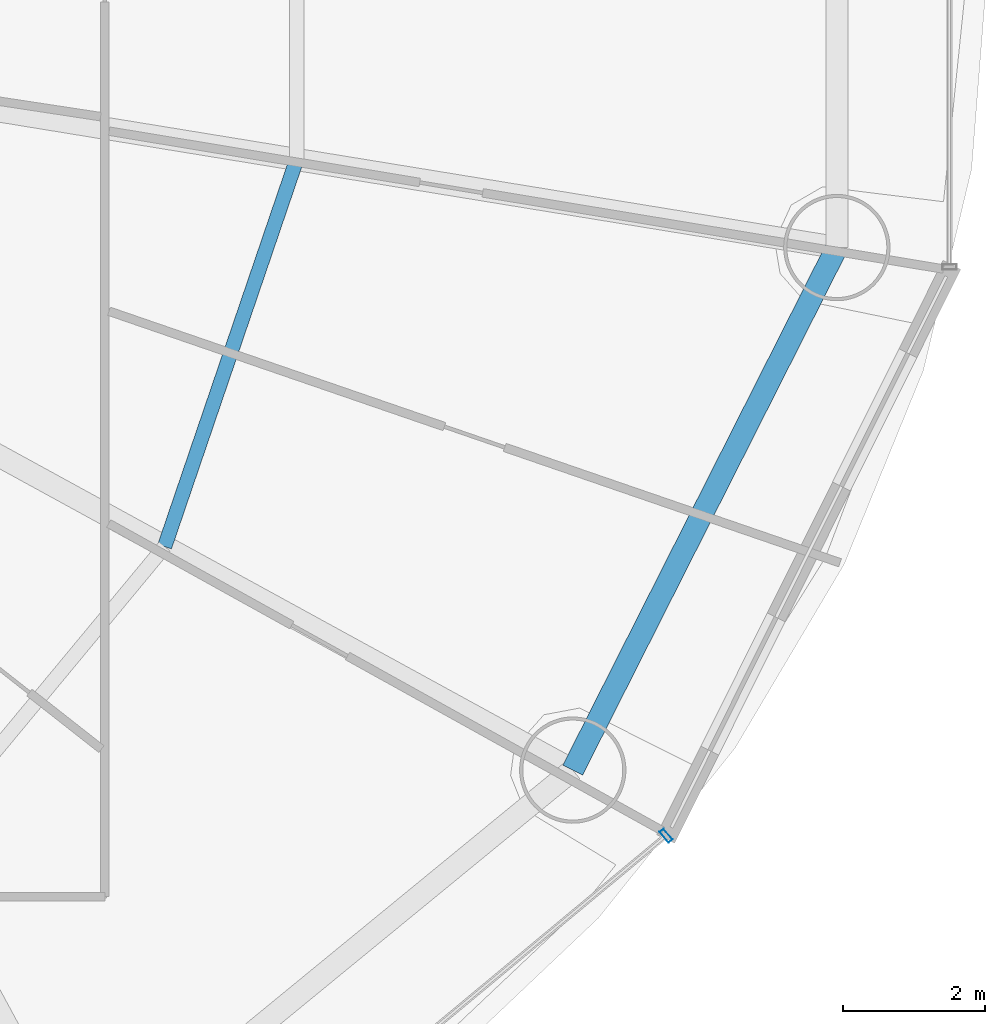
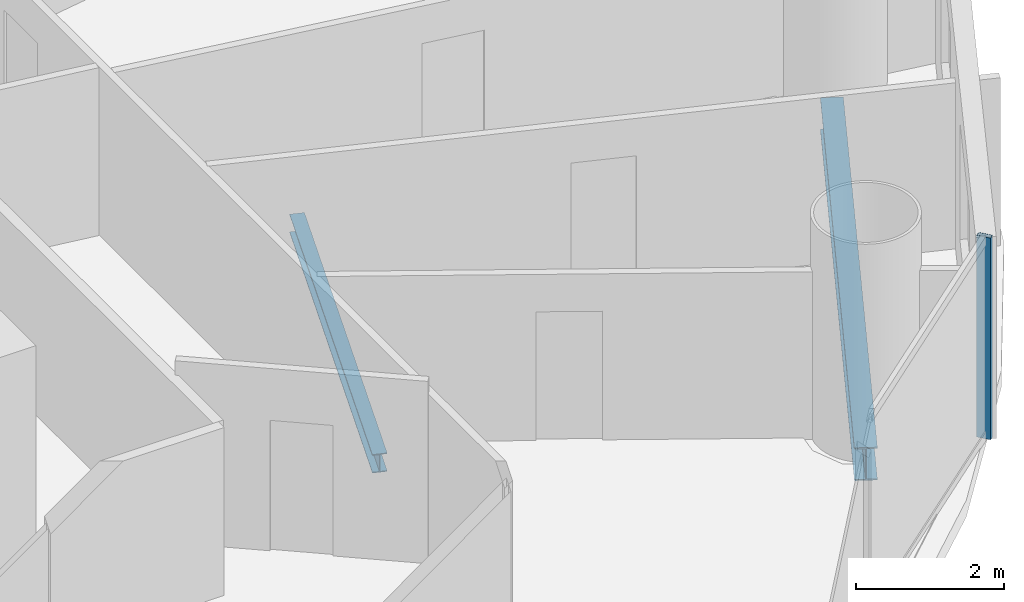
# One storey, part 12 of 28: 2 beams, 1 member, 1 element without a shape of its own.
"""IFC4 building model written with IfcOpenShell, lengths in metres."""

from ifc_helpers import new_model, si_unit, direction, frame, origin, origin_2d, place, context, subcontext, project, spatial, hollow_rectangle, i_section, extrude, source, transform, mapped, material, material_profile, profile_set, type_object, element, aggregate, save


model = new_model("IFC4")

# Units and contexts
model_context = context("Model", 3, precision=1e-05, world=origin(), true_north=direction((-0.2419218956, 0.970295726276)))
body_context = subcontext(model_context, "Body", "Model", "MODEL_VIEW")
ifc_project = project(units=[si_unit("LENGTHUNIT", "METRE"), si_unit("AREAUNIT", "SQUARE_METRE"), si_unit("VOLUMEUNIT", "CUBIC_METRE"), si_unit("PLANEANGLEUNIT", "RADIAN"), si_unit("MASSUNIT", "GRAM", prefix="KILO")], contexts=[model_context])

# Site, building, storey
site_placement = place(None, origin())
site = spatial("IfcSite", under=ifc_project, at=site_placement, CompositionType="ELEMENT")
building_placement = place(site_placement, origin())
building = spatial("IfcBuilding", under=site, at=building_placement, Name="Cobrevalo Terracotta Tower", CompositionType="ELEMENT")
storey_placement = place(building_placement, frame((0.0, 0.0, 108.60009765625)))
storey = spatial("IfcBuildingStorey", under=building, at=storey_placement, Name="L28", CompositionType="ELEMENT", Elevation=108.60009765625)

# Beams
ifc_material_1 = material(Name="Steel S355", Category="steel")
ifc_material_profile_1 = material_profile(ifc_material_1, i_section(OverallWidth=0.2041015625, OverallDepth=0.305908203125, WebThickness=0.008544921875, FlangeThickness=0.0146484375, at=origin_2d()), Name="W 310x67")
ifc_profile_set_1 = profile_set([ifc_material_profile_1], Name="Steel S355")
beam_type_1 = type_object("IfcBeamType", Name="Structural Joist W 310x67 (Steel S355)", PredefinedType="JOIST", material=ifc_profile_set_1)
beam_1_placement = place(storey_placement, frame((52.987548828125, 18.591796875, -0.427978515625), z_axis=(0.322846227919, 0.946451431991, 0.0), x_axis=(-0.946451431991, 0.322846227919, 0.0)))
element("IfcBeam", 1, at=beam_1_placement, inside=storey, type_object=beam_type_1, Name="L28 circumferential secondary floor joist 15", PredefinedType="JOIST", context=body_context, shape_type="SweptSolid", body=[
    extrude(i_section(OverallWidth=0.2041015625, OverallDepth=0.305908203125, WebThickness=0.008544921875, FlangeThickness=0.0146484375, at=origin_2d()), origin(), (0.0, 0.0, 1.0), 5.77001953125),
])
ifc_material_profile_2 = material_profile(ifc_material_1, i_section(OverallWidth=0.31201171875, OverallDepth=0.54296875, WebThickness=0.0126953125, FlangeThickness=0.020263671875, at=origin_2d()), Name="W 530x150")
ifc_profile_set_2 = profile_set([ifc_material_profile_2], Name="Steel S355")
beam_type_2 = type_object("IfcBeamType", Name="Structural Spandrel W 530x150 (Steel S355)", PredefinedType="SPANDREL", material=ifc_profile_set_2)
beam_2_placement = place(storey_placement, frame((58.7451171875, 15.4384765625, -0.546630859375), z_axis=(0.451051982172, 0.892497680321, 0.0), x_axis=(-0.892497680321, 0.451051982172, 0.0)))
element("IfcBeam", 2, at=beam_2_placement, inside=storey, type_object=beam_type_2, Name="L28 perimeter ring spandrel 15", PredefinedType="SPANDREL", context=body_context, shape_type="SweptSolid", body=[
    extrude(i_section(OverallWidth=0.31201171875, OverallDepth=0.54296875, WebThickness=0.0126953125, FlangeThickness=0.020263671875, at=origin_2d()), origin(), (0.0, 0.0, 1.0), 8.259765625),
])

# Curtain wall, member
ifc_material_2 = material(Name="Anodized aluminium", Category="aluminium")
curtain_wall_type = type_object("IfcCurtainWallType", Name="Lower-tower unitised acoustic low-E curtain wall CW-U1", PredefinedType="NOTDEFINED", material=ifc_material_2)
curtain_wall_placement = place(storey_placement, origin())
curtain_wall = element("IfcCurtainWall", 3, at=curtain_wall_placement, inside=storey, type_object=curtain_wall_type, Name="L28 curtain wall CW-L28-S14", PredefinedType="NOTDEFINED")
ifc_material_profile_3 = material_profile(ifc_material_2, hollow_rectangle(XDim=0.074951171875, YDim=0.199951171875, WallThickness=0.0048828125, at=origin_2d()), Name="CWM 75x200")
ifc_profile_set_3 = profile_set([ifc_material_profile_3], Name="Anodized aluminium")
member_type = type_object("IfcMemberType", Name="Lower/mid tower unitised mullion 75x200", PredefinedType="MULLION", material=ifc_profile_set_3)
shared_shape = source(origin(), body_context, "Body", "SweptSolid", [
    extrude(hollow_rectangle(XDim=0.074951171875, YDim=0.199951171875, WallThickness=0.0048828125, at=origin_2d()), origin(), (0.0, 0.0, 1.0), 3.324951171875),
])
member_placement = place(storey_placement, frame((60.061279296875, 14.512939453125, 0.0), z_axis=(0.0, 0.0, 1.0), x_axis=(0.769243451658, 0.638955798222, 0.0)))
member = element("IfcMember", 4, at=member_placement, type_object=member_type, Name="CW-L28-S14 vertical mullion 03", PredefinedType="MULLION", context=body_context, shape_type="MappedRepresentation", body=[
    mapped(shared_shape, transform((0.0, 0.0, 0.0), scale=1.0)),
])
aggregate(curtain_wall, [member])

save(model, "model.ifc")
